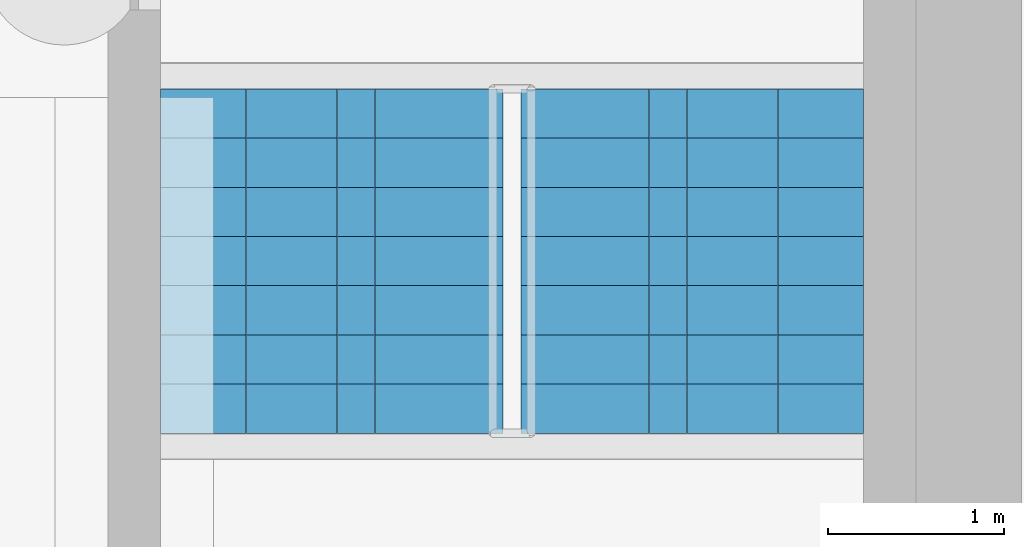
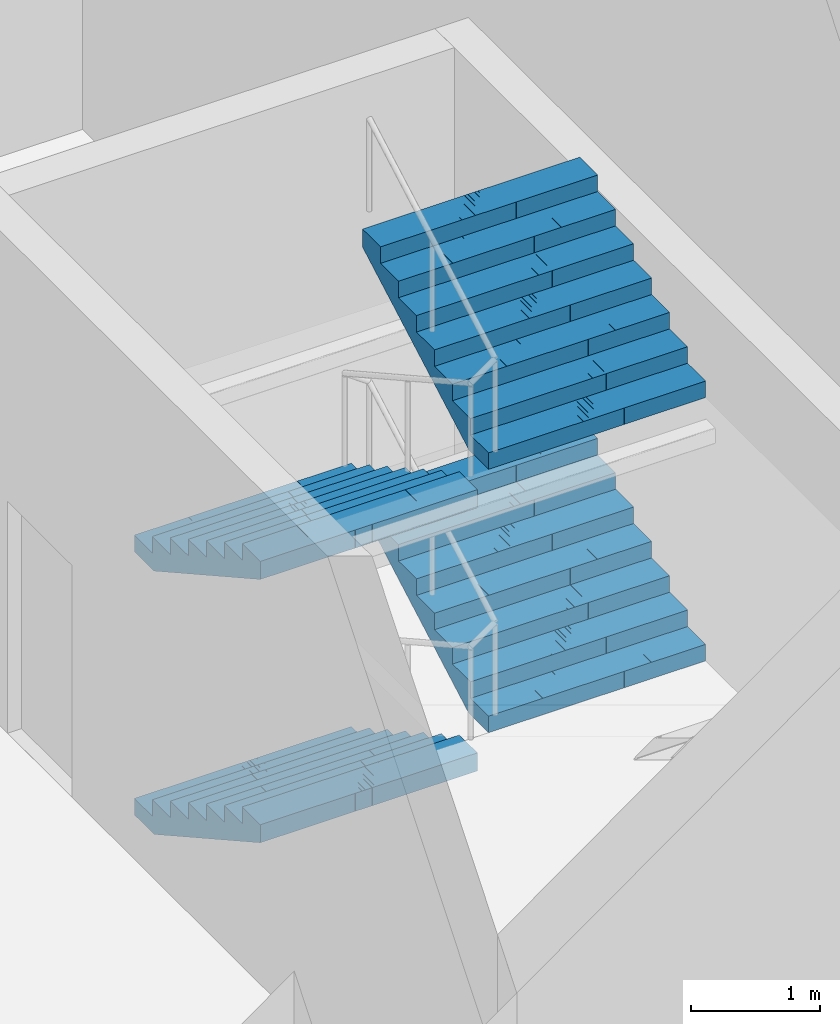
# One storey, part 21 of 31: 4 stair flights, 1 element without a shape of its own.
"""IFC4 building model written with IfcOpenShell, lengths in metres."""

import ifcopenshell
import ifcopenshell.guid

model = None  # the IFC model being written
_history = None  # IfcOwnerHistory: only IFC2X3 demands one
_inside = {}  # id of a spatial element -> (the spatial element, [elements in it])
_under = {}  # id of a project, library or spatial element -> (it, [spatial elements below it])
_declared = {}  # id of a project -> (the project, [libraries it declares])
_typed = {}  # id of a type object -> (the type object, [elements of that type])
_made_of = {}  # id of a material, layer set ... -> (it, [elements and type objects made of it])


def new_model(schema):
    """Start an empty IFC model of exactly this schema.

    Asked for "IFC4X3", IfcOpenShell would pick the latest addendum, in which some entities
    have other attributes; the version numbers below select the first issue.
    IFC2X3 requires an IfcOwnerHistory on every rooted entity: one is made here for all.
    """
    global model, _history
    if schema == "IFC4X3":
        model = ifcopenshell.file(schema_version=(4, 3, 0, 0))
    else:
        model = ifcopenshell.file(schema=schema)
    _inside.clear()
    _under.clear()
    _declared.clear()
    _typed.clear()
    _made_of.clear()
    _history = None
    if model.schema == "IFC2X3":
        org = make("IfcOrganization", Name="unknown")
        user = make(
            "IfcPersonAndOrganization",
            ThePerson=make("IfcPerson", FamilyName="unknown"),
            TheOrganization=org,
        )
        app = make(
            "IfcApplication",
            ApplicationDeveloper=org,
            Version="unknown",
            ApplicationFullName="unknown",
            ApplicationIdentifier="unknown",
        )
        _history = make(
            "IfcOwnerHistory",
            OwningUser=user,
            OwningApplication=app,
            ChangeAction="ADDED",
            CreationDate=0,
        )
    return model


def make(cls, **values):
    """One entity of the class cls with the attributes given. An attribute that is None is left unset."""
    return model.create_entity(
        cls, **{name: value for name, value in values.items() if value is not None}
    )


def rooted(cls, **values):
    """An entity with a GlobalId (a new one), such as an element, a storey or a relation."""
    return make(cls, GlobalId=ifcopenshell.guid.new(), OwnerHistory=_history, **values)


def si_unit(unit_type, name, prefix=None):
    """IfcSIUnit, for example si_unit("LENGTHUNIT", "METRE", prefix="MILLI")."""
    return make("IfcSIUnit", UnitType=unit_type, Prefix=prefix, Name=name)


def assignment(units):
    """IfcUnitAssignment: the units of a project."""
    return None if units is None else make("IfcUnitAssignment", Units=units)


def point(xyz):
    """IfcCartesianPoint."""
    return None if xyz is None else make("IfcCartesianPoint", Coordinates=xyz)


def direction(xyz):
    """IfcDirection."""
    return None if xyz is None else make("IfcDirection", DirectionRatios=xyz)


def frame(location, z_axis=None, x_axis=None):
    """IfcAxis2Placement3D, a coordinate frame: its origin and axes. An axis left out is left unset."""
    return make(
        "IfcAxis2Placement3D",
        Location=point(location),
        Axis=direction(z_axis),
        RefDirection=direction(x_axis),
    )


def origin():
    """The frame at (0, 0, 0) with its axes left unset."""
    return frame((0.0, 0.0, 0.0))


def place(relative_to, where):
    """IfcLocalPlacement: puts the frame where relative to a parent placement (None: the world)."""
    return make(
        "IfcLocalPlacement", PlacementRelTo=relative_to, RelativePlacement=where
    )


def context(
    kind, dimensions, precision=None, world=None, true_north=None, identifier=None
):
    """IfcGeometricRepresentationContext, for example the 3D "Model" context."""
    return make(
        "IfcGeometricRepresentationContext",
        ContextIdentifier=identifier,
        ContextType=kind,
        CoordinateSpaceDimension=dimensions,
        Precision=precision,
        WorldCoordinateSystem=world,
        TrueNorth=true_north,
    )


def subcontext(parent, identifier, kind, view, scale=None):
    """IfcGeometricRepresentationSubContext, for example "Body" below "Model"."""
    return make(
        "IfcGeometricRepresentationSubContext",
        ContextIdentifier=identifier,
        ContextType=kind,
        ParentContext=parent,
        TargetScale=scale,
        TargetView=view,
    )


def project(units=None, contexts=None):
    """IfcProject with its units and contexts."""
    return rooted(
        "IfcProject",
        Name="project",
        RepresentationContexts=contexts,
        UnitsInContext=assignment(units),
    )


def spatial(cls, under=None, at=None, **own):
    """A site, building, storey or space (cls), placed at a placement, below another one or the project."""
    s = rooted(cls, ObjectPlacement=at, **own)
    if under is not None:
        _under.setdefault(under.id(), (under, []))[1].append(s)
    return s


def polyline(points):
    """IfcPolyline through the points."""
    return make("IfcPolyline", Points=[point(p) for p in points])


def outline(outer, holes=None, kind="AREA"):
    """IfcArbitraryClosedProfileDef: a profile drawn as a closed curve; with holes, ...WithVoids."""
    if holes is None:
        return make("IfcArbitraryClosedProfileDef", ProfileType=kind, OuterCurve=outer)
    return make(
        "IfcArbitraryProfileDefWithVoids",
        ProfileType=kind,
        OuterCurve=outer,
        InnerCurves=holes,
    )


def extrude(swept, where, along, depth):
    """IfcExtrudedAreaSolid: the profile swept, set in the frame where, extruded along a direction by depth."""
    return make(
        "IfcExtrudedAreaSolid",
        SweptArea=swept,
        Position=where,
        ExtrudedDirection=direction(along),
        Depth=depth,
    )


def shape(context_of_items, identifier, shape_type, items):
    """IfcShapeRepresentation: the items that make up one representation, for example the "Body"."""
    return make(
        "IfcShapeRepresentation",
        ContextOfItems=context_of_items,
        RepresentationIdentifier=identifier,
        RepresentationType=shape_type,
        Items=items,
    )


def material(Name=None, Category=None):
    """IfcMaterial."""
    return make("IfcMaterial", Name=Name, Category=Category)


def made_of(thing, what):
    """Note that an element or type object is made of a material, layer set ...; save() writes the relation."""
    if what is not None:
        _made_of.setdefault(what.id(), (what, []))[1].append(thing)
    return thing


def type_object(cls, material=None, **own):
    """A type object (cls), such as IfcWallType, which elements share."""
    return made_of(rooted(cls, **own), material)


def element(
    cls,
    number,
    at=None,
    inside=None,
    cuts=None,
    type_object=None,
    material=None,
    context=None,
    identifier="Body",
    shape_type=None,
    held_by="IfcProductDefinitionShape",
    body=None,
    shapes=None,
    **own,
):
    """One element of the class cls, such as IfcWall. Its Tag is "e" and its number.

    at: its placement. inside: the storey or other place that contains it. cuts: it is an
    opening in that element (IfcRelVoidsElement). A single representation is given by context,
    identifier, shape_type and body (its items); several are given by shapes. held_by: the class
    of the entity that holds the representations. save() writes the other relations.
    """
    e = rooted(cls, Tag="e%d" % number, ObjectPlacement=at, **own)
    if body is not None:
        shapes = [shape(context, identifier, shape_type, body)]
    if shapes is not None:
        e.Representation = make(held_by, Representations=shapes)
    if inside is not None:
        _inside.setdefault(inside.id(), (inside, []))[1].append(e)
    if cuts is not None:
        rooted(
            "IfcRelVoidsElement", RelatingBuildingElement=cuts, RelatedOpeningElement=e
        )
    if type_object is not None:
        _typed.setdefault(type_object.id(), (type_object, []))[1].append(e)
    return made_of(e, material)


def aggregate(whole, parts):
    """IfcRelAggregates: a whole, such as a stair, and the parts it consists of."""
    return rooted("IfcRelAggregates", RelatingObject=whole, RelatedObjects=parts)


def save(model, path):
    """Write the relations noted so far, then the file.

    IfcRelAggregates (storeys below a building ...), IfcRelContainedInSpatialStructure (elements
    in a storey), IfcRelDefinesByType, IfcRelAssociatesMaterial and IfcRelDeclares: one each for
    every whole, place, type object, material and project.
    """
    for whole, parts in _under.values():
        aggregate(whole, parts)
    for where, things in _inside.values():
        rooted(
            "IfcRelContainedInSpatialStructure",
            RelatedElements=things,
            RelatingStructure=where,
        )
    for kind, things in _typed.values():
        rooted("IfcRelDefinesByType", RelatedObjects=things, RelatingType=kind)
    for what, things in _made_of.values():
        rooted("IfcRelAssociatesMaterial", RelatedObjects=things, RelatingMaterial=what)
    for by, libraries in _declared.values():
        rooted("IfcRelDeclares", RelatingContext=by, RelatedDefinitions=libraries)
    model.write(path)


model = new_model("IFC4")

# Units and contexts
model_context = context("Model", 3, precision=1e-05, world=origin(), true_north=direction((0.0, 1.0)))
body_context = subcontext(model_context, "Body", "Model", "MODEL_VIEW")
ifc_project = project(units=[si_unit("LENGTHUNIT", "METRE"), si_unit("AREAUNIT", "SQUARE_METRE"), si_unit("VOLUMEUNIT", "CUBIC_METRE"), si_unit("PLANEANGLEUNIT", "RADIAN"), si_unit("MASSUNIT", "GRAM", prefix="KILO")], contexts=[model_context])

# Site, building, storey
site_placement = place(None, origin())
site = spatial("IfcSite", under=ifc_project, at=site_placement, CompositionType="ELEMENT")
building_placement = place(site_placement, origin())
building = spatial("IfcBuilding", under=site, at=building_placement, Name="Mizan Broadcast Tower", CompositionType="ELEMENT")
storey_placement = place(building_placement, frame((0.0, 0.0, -10.0)))
storey = spatial("IfcBuildingStorey", under=building, at=storey_placement, Name="B2", CompositionType="ELEMENT", Elevation=-10.0)

# Stair, stair flights
ifc_material_1 = material(Name="Concrete C40/50", Category="concrete")
stair_type = type_object("IfcStairType", Name="EXIT STAIR", PredefinedType="HALF_TURN_STAIR", material=ifc_material_1)
stair_placement = place(storey_placement, origin())
stair = element("IfcStair", 1, at=stair_placement, inside=storey, type_object=stair_type, Name="Stair E B2", PredefinedType="HALF_TURN_STAIR")
ifc_material_2 = material(Name="Concrete C40/50", Category="concrete")
stair_flight_type = type_object("IfcStairFlightType", Name="EXIT STAIR FLIGHT", PredefinedType="STRAIGHT", material=ifc_material_2)
stair_flight_1_placement = place(storey_placement, frame((44.875, 39.949951171875, 0.0), z_axis=(0.0, 0.0, 1.0), x_axis=(0.0, -1.0, 0.0)))
stair_flight_1 = element("IfcStairFlight", 2, at=stair_flight_1_placement, type_object=stair_flight_type, Name="E flight 1", NumberOfRisers=8, NumberOfTreads=7, PredefinedType="STRAIGHT", RiserHeight=0.15625, TreadLength=0.28, context=body_context, shape_type="SweptSolid", body=[
    extrude(outline(polyline([(0.0, 0.0), (0.0, 0.15625), (0.280029296875, 0.15625), (0.280029296875, 0.3125), (0.56005859375, 0.3125), (0.56005859375, 0.46875), (0.840087890625, 0.46875), (0.840087890625, 0.625), (1.1201171875, 0.625), (1.1201171875, 0.78125), (1.39990234375, 0.78125), (1.39990234375, 0.9375), (1.679931640625, 0.9375), (1.679931640625, 1.09375), (1.9599609375, 1.09375), (1.9599609375, 1.25), (1.9599609375, 0.922119140625), (0.3076171875, 0.0), (0.0, 0.0)])), frame((0.0, 0.97509765625, 0.0), z_axis=(0.0, -1.0, 0.0), x_axis=(1.0, 0.0, 0.0)), (0.0, 0.0, 1.0), 0.4873046875),
    extrude(outline(polyline([(0.0, 0.0), (0.0, 0.15625), (0.280029296875, 0.15625), (0.280029296875, 0.3125), (0.56005859375, 0.3125), (0.56005859375, 0.46875), (0.840087890625, 0.46875), (0.840087890625, 0.625), (1.1201171875, 0.625), (1.1201171875, 0.78125), (1.39990234375, 0.78125), (1.39990234375, 0.9375), (1.679931640625, 0.9375), (1.679931640625, 1.09375), (1.9599609375, 1.09375), (1.9599609375, 1.25), (1.9599609375, 0.922119140625), (0.3076171875, 0.0), (0.0, 0.0)])), frame((0.0, 0.4873046875, 0.0), z_axis=(0.0, -1.0, 0.0), x_axis=(1.0, 0.0, 0.0)), (0.0, 0.0, 1.0), 0.2431640625),
    extrude(outline(polyline([(0.0, 0.0), (0.0, 0.15625), (0.280029296875, 0.15625), (0.280029296875, 0.3125), (0.56005859375, 0.3125), (0.56005859375, 0.46875), (0.840087890625, 0.46875), (0.840087890625, 0.625), (1.1201171875, 0.625), (1.1201171875, 0.78125), (1.39990234375, 0.78125), (1.39990234375, 0.9375), (1.679931640625, 0.9375), (1.679931640625, 1.09375), (1.9599609375, 1.09375), (1.9599609375, 1.25), (1.9599609375, 0.922119140625), (0.3076171875, 0.0), (0.0, 0.0)])), frame((0.0, 0.24365234375, 0.0), z_axis=(0.0, -1.0, 0.0), x_axis=(1.0, 0.0, 0.0)), (0.0, 0.0, 1.0), 0.121337890625),
    extrude(outline(polyline([(0.0, 0.0), (0.0, 0.15625), (0.280029296875, 0.15625), (0.280029296875, 0.3125), (0.56005859375, 0.3125), (0.56005859375, 0.46875), (0.840087890625, 0.46875), (0.840087890625, 0.625), (1.1201171875, 0.625), (1.1201171875, 0.78125), (1.39990234375, 0.78125), (1.39990234375, 0.9375), (1.679931640625, 0.9375), (1.679931640625, 1.09375), (1.9599609375, 1.09375), (1.9599609375, 1.25), (1.9599609375, 0.922119140625), (0.3076171875, 0.0), (0.0, 0.0)])), frame((0.0, 0.121826171875, 0.0), z_axis=(0.0, -1.0, 0.0), x_axis=(1.0, 0.0, 0.0)), (0.0, 0.0, 1.0), 0.060546875),
    extrude(outline(polyline([(0.0, 0.0), (0.0, 0.15625), (0.280029296875, 0.15625), (0.280029296875, 0.3125), (0.56005859375, 0.3125), (0.56005859375, 0.46875), (0.840087890625, 0.46875), (0.840087890625, 0.625), (1.1201171875, 0.625), (1.1201171875, 0.78125), (1.39990234375, 0.78125), (1.39990234375, 0.9375), (1.679931640625, 0.9375), (1.679931640625, 1.09375), (1.9599609375, 1.09375), (1.9599609375, 1.25), (1.9599609375, 0.922119140625), (0.3076171875, 0.0), (0.0, 0.0)])), frame((0.0, 0.060791015625, 0.0), z_axis=(0.0, -1.0, 0.0), x_axis=(1.0, 0.0, 0.0)), (0.0, 0.0, 1.0), 0.030029296875),
    extrude(outline(polyline([(0.0, 0.0), (0.0, 0.15625), (0.280029296875, 0.15625), (0.280029296875, 0.3125), (0.56005859375, 0.3125), (0.56005859375, 0.46875), (0.840087890625, 0.46875), (0.840087890625, 0.625), (1.1201171875, 0.625), (1.1201171875, 0.78125), (1.39990234375, 0.78125), (1.39990234375, 0.9375), (1.679931640625, 0.9375), (1.679931640625, 1.09375), (1.9599609375, 1.09375), (1.9599609375, 1.25), (1.9599609375, 0.922119140625), (0.3076171875, 0.0), (0.0, 0.0)])), frame((0.0, 0.0302734375, 0.0), z_axis=(0.0, -1.0, 0.0), x_axis=(1.0, 0.0, 0.0)), (0.0, 0.0, 1.0), 0.060302734375),
    extrude(outline(polyline([(0.0, 0.0), (0.0, 0.15625), (0.280029296875, 0.15625), (0.280029296875, 0.3125), (0.56005859375, 0.3125), (0.56005859375, 0.46875), (0.840087890625, 0.46875), (0.840087890625, 0.625), (1.1201171875, 0.625), (1.1201171875, 0.78125), (1.39990234375, 0.78125), (1.39990234375, 0.9375), (1.679931640625, 0.9375), (1.679931640625, 1.09375), (1.9599609375, 1.09375), (1.9599609375, 1.25), (1.9599609375, 0.922119140625), (0.3076171875, 0.0), (0.0, 0.0)])), frame((0.0, -0.030517578125, 0.0), z_axis=(0.0, -1.0, 0.0), x_axis=(1.0, 0.0, 0.0)), (0.0, 0.0, 1.0), 0.030029296875),
    extrude(outline(polyline([(0.0, 0.0), (0.0, 0.15625), (0.280029296875, 0.15625), (0.280029296875, 0.3125), (0.56005859375, 0.3125), (0.56005859375, 0.46875), (0.840087890625, 0.46875), (0.840087890625, 0.625), (1.1201171875, 0.625), (1.1201171875, 0.78125), (1.39990234375, 0.78125), (1.39990234375, 0.9375), (1.679931640625, 0.9375), (1.679931640625, 1.09375), (1.9599609375, 1.09375), (1.9599609375, 1.25), (1.9599609375, 0.922119140625), (0.3076171875, 0.0), (0.0, 0.0)])), frame((0.0, -0.06103515625, 0.0), z_axis=(0.0, -1.0, 0.0), x_axis=(1.0, 0.0, 0.0)), (0.0, 0.0, 1.0), 0.060546875),
    extrude(outline(polyline([(0.0, 0.0), (0.0, 0.15625), (0.280029296875, 0.15625), (0.280029296875, 0.3125), (0.56005859375, 0.3125), (0.56005859375, 0.46875), (0.840087890625, 0.46875), (0.840087890625, 0.625), (1.1201171875, 0.625), (1.1201171875, 0.78125), (1.39990234375, 0.78125), (1.39990234375, 0.9375), (1.679931640625, 0.9375), (1.679931640625, 1.09375), (1.9599609375, 1.09375), (1.9599609375, 1.25), (1.9599609375, 0.922119140625), (0.3076171875, 0.0), (0.0, 0.0)])), frame((0.0, -0.1220703125, 0.0), z_axis=(0.0, -1.0, 0.0), x_axis=(1.0, 0.0, 0.0)), (0.0, 0.0, 1.0), 0.121337890625),
    extrude(outline(polyline([(0.0, 0.0), (0.0, 0.15625), (0.280029296875, 0.15625), (0.280029296875, 0.3125), (0.56005859375, 0.3125), (0.56005859375, 0.46875), (0.840087890625, 0.46875), (0.840087890625, 0.625), (1.1201171875, 0.625), (1.1201171875, 0.78125), (1.39990234375, 0.78125), (1.39990234375, 0.9375), (1.679931640625, 0.9375), (1.679931640625, 1.09375), (1.9599609375, 1.09375), (1.9599609375, 1.25), (1.9599609375, 0.922119140625), (0.3076171875, 0.0), (0.0, 0.0)])), frame((0.0, -0.243896484375, 0.0), z_axis=(0.0, -1.0, 0.0), x_axis=(1.0, 0.0, 0.0)), (0.0, 0.0, 1.0), 0.2431640625),
    extrude(outline(polyline([(0.0, 0.0), (0.0, 0.15625), (0.280029296875, 0.15625), (0.280029296875, 0.3125), (0.56005859375, 0.3125), (0.56005859375, 0.46875), (0.840087890625, 0.46875), (0.840087890625, 0.625), (1.1201171875, 0.625), (1.1201171875, 0.78125), (1.39990234375, 0.78125), (1.39990234375, 0.9375), (1.679931640625, 0.9375), (1.679931640625, 1.09375), (1.9599609375, 1.09375), (1.9599609375, 1.25), (1.9599609375, 0.922119140625), (0.3076171875, 0.0), (0.0, 0.0)])), frame((0.0, -0.487548828125, 0.0), z_axis=(0.0, -1.0, 0.0), x_axis=(1.0, 0.0, 0.0)), (0.0, 0.0, 1.0), 0.4873046875),
])
stair_flight_2_placement = place(storey_placement, frame((46.925048828125, 37.989990234375, 1.25), z_axis=(0.0, 0.0, 1.0), x_axis=(0.0, 1.0, 0.0)))
stair_flight_2 = element("IfcStairFlight", 3, at=stair_flight_2_placement, type_object=stair_flight_type, Name="E flight 2", NumberOfRisers=8, NumberOfTreads=7, PredefinedType="STRAIGHT", RiserHeight=0.15625, TreadLength=0.28, context=body_context, shape_type="SweptSolid", body=[
    extrude(outline(polyline([(0.0, 0.0), (0.0, 0.15625), (0.280029296875, 0.15625), (0.280029296875, 0.3125), (0.56005859375, 0.3125), (0.56005859375, 0.46875), (0.840087890625, 0.46875), (0.840087890625, 0.625), (1.1201171875, 0.625), (1.1201171875, 0.78125), (1.39990234375, 0.78125), (1.39990234375, 0.9375), (1.679931640625, 0.9375), (1.679931640625, 1.09375), (1.9599609375, 1.09375), (1.9599609375, 1.25), (1.9599609375, 0.922119140625), (0.3076171875, 0.0), (0.0, 0.0)])), frame((0.0, 0.97509765625, 0.0), z_axis=(0.0, -1.0, 0.0), x_axis=(1.0, 0.0, 0.0)), (0.0, 0.0, 1.0), 0.4873046875),
    extrude(outline(polyline([(0.0, 0.0), (0.0, 0.15625), (0.280029296875, 0.15625), (0.280029296875, 0.3125), (0.56005859375, 0.3125), (0.56005859375, 0.46875), (0.840087890625, 0.46875), (0.840087890625, 0.625), (1.1201171875, 0.625), (1.1201171875, 0.78125), (1.39990234375, 0.78125), (1.39990234375, 0.9375), (1.679931640625, 0.9375), (1.679931640625, 1.09375), (1.9599609375, 1.09375), (1.9599609375, 1.25), (1.9599609375, 0.922119140625), (0.3076171875, 0.0), (0.0, 0.0)])), frame((0.0, 0.4873046875, 0.0), z_axis=(0.0, -1.0, 0.0), x_axis=(1.0, 0.0, 0.0)), (0.0, 0.0, 1.0), 0.2431640625),
    extrude(outline(polyline([(0.0, 0.0), (0.0, 0.15625), (0.280029296875, 0.15625), (0.280029296875, 0.3125), (0.56005859375, 0.3125), (0.56005859375, 0.46875), (0.840087890625, 0.46875), (0.840087890625, 0.625), (1.1201171875, 0.625), (1.1201171875, 0.78125), (1.39990234375, 0.78125), (1.39990234375, 0.9375), (1.679931640625, 0.9375), (1.679931640625, 1.09375), (1.9599609375, 1.09375), (1.9599609375, 1.25), (1.9599609375, 0.922119140625), (0.3076171875, 0.0), (0.0, 0.0)])), frame((0.0, 0.24365234375, 0.0), z_axis=(0.0, -1.0, 0.0), x_axis=(1.0, 0.0, 0.0)), (0.0, 0.0, 1.0), 0.121337890625),
    extrude(outline(polyline([(0.0, 0.0), (0.0, 0.15625), (0.280029296875, 0.15625), (0.280029296875, 0.3125), (0.56005859375, 0.3125), (0.56005859375, 0.46875), (0.840087890625, 0.46875), (0.840087890625, 0.625), (1.1201171875, 0.625), (1.1201171875, 0.78125), (1.39990234375, 0.78125), (1.39990234375, 0.9375), (1.679931640625, 0.9375), (1.679931640625, 1.09375), (1.9599609375, 1.09375), (1.9599609375, 1.25), (1.9599609375, 0.922119140625), (0.3076171875, 0.0), (0.0, 0.0)])), frame((0.0, 0.121826171875, 0.0), z_axis=(0.0, -1.0, 0.0), x_axis=(1.0, 0.0, 0.0)), (0.0, 0.0, 1.0), 0.060546875),
    extrude(outline(polyline([(0.0, 0.0), (0.0, 0.15625), (0.280029296875, 0.15625), (0.280029296875, 0.3125), (0.56005859375, 0.3125), (0.56005859375, 0.46875), (0.840087890625, 0.46875), (0.840087890625, 0.625), (1.1201171875, 0.625), (1.1201171875, 0.78125), (1.39990234375, 0.78125), (1.39990234375, 0.9375), (1.679931640625, 0.9375), (1.679931640625, 1.09375), (1.9599609375, 1.09375), (1.9599609375, 1.25), (1.9599609375, 0.922119140625), (0.3076171875, 0.0), (0.0, 0.0)])), frame((0.0, 0.060791015625, 0.0), z_axis=(0.0, -1.0, 0.0), x_axis=(1.0, 0.0, 0.0)), (0.0, 0.0, 1.0), 0.030029296875),
    extrude(outline(polyline([(0.0, 0.0), (0.0, 0.15625), (0.280029296875, 0.15625), (0.280029296875, 0.3125), (0.56005859375, 0.3125), (0.56005859375, 0.46875), (0.840087890625, 0.46875), (0.840087890625, 0.625), (1.1201171875, 0.625), (1.1201171875, 0.78125), (1.39990234375, 0.78125), (1.39990234375, 0.9375), (1.679931640625, 0.9375), (1.679931640625, 1.09375), (1.9599609375, 1.09375), (1.9599609375, 1.25), (1.9599609375, 0.922119140625), (0.3076171875, 0.0), (0.0, 0.0)])), frame((0.0, 0.0302734375, 0.0), z_axis=(0.0, -1.0, 0.0), x_axis=(1.0, 0.0, 0.0)), (0.0, 0.0, 1.0), 0.060302734375),
    extrude(outline(polyline([(0.0, 0.0), (0.0, 0.15625), (0.280029296875, 0.15625), (0.280029296875, 0.3125), (0.56005859375, 0.3125), (0.56005859375, 0.46875), (0.840087890625, 0.46875), (0.840087890625, 0.625), (1.1201171875, 0.625), (1.1201171875, 0.78125), (1.39990234375, 0.78125), (1.39990234375, 0.9375), (1.679931640625, 0.9375), (1.679931640625, 1.09375), (1.9599609375, 1.09375), (1.9599609375, 1.25), (1.9599609375, 0.922119140625), (0.3076171875, 0.0), (0.0, 0.0)])), frame((0.0, -0.030517578125, 0.0), z_axis=(0.0, -1.0, 0.0), x_axis=(1.0, 0.0, 0.0)), (0.0, 0.0, 1.0), 0.030029296875),
    extrude(outline(polyline([(0.0, 0.0), (0.0, 0.15625), (0.280029296875, 0.15625), (0.280029296875, 0.3125), (0.56005859375, 0.3125), (0.56005859375, 0.46875), (0.840087890625, 0.46875), (0.840087890625, 0.625), (1.1201171875, 0.625), (1.1201171875, 0.78125), (1.39990234375, 0.78125), (1.39990234375, 0.9375), (1.679931640625, 0.9375), (1.679931640625, 1.09375), (1.9599609375, 1.09375), (1.9599609375, 1.25), (1.9599609375, 0.922119140625), (0.3076171875, 0.0), (0.0, 0.0)])), frame((0.0, -0.06103515625, 0.0), z_axis=(0.0, -1.0, 0.0), x_axis=(1.0, 0.0, 0.0)), (0.0, 0.0, 1.0), 0.060546875),
    extrude(outline(polyline([(0.0, 0.0), (0.0, 0.15625), (0.280029296875, 0.15625), (0.280029296875, 0.3125), (0.56005859375, 0.3125), (0.56005859375, 0.46875), (0.840087890625, 0.46875), (0.840087890625, 0.625), (1.1201171875, 0.625), (1.1201171875, 0.78125), (1.39990234375, 0.78125), (1.39990234375, 0.9375), (1.679931640625, 0.9375), (1.679931640625, 1.09375), (1.9599609375, 1.09375), (1.9599609375, 1.25), (1.9599609375, 0.922119140625), (0.3076171875, 0.0), (0.0, 0.0)])), frame((0.0, -0.1220703125, 0.0), z_axis=(0.0, -1.0, 0.0), x_axis=(1.0, 0.0, 0.0)), (0.0, 0.0, 1.0), 0.121337890625),
    extrude(outline(polyline([(0.0, 0.0), (0.0, 0.15625), (0.280029296875, 0.15625), (0.280029296875, 0.3125), (0.56005859375, 0.3125), (0.56005859375, 0.46875), (0.840087890625, 0.46875), (0.840087890625, 0.625), (1.1201171875, 0.625), (1.1201171875, 0.78125), (1.39990234375, 0.78125), (1.39990234375, 0.9375), (1.679931640625, 0.9375), (1.679931640625, 1.09375), (1.9599609375, 1.09375), (1.9599609375, 1.25), (1.9599609375, 0.922119140625), (0.3076171875, 0.0), (0.0, 0.0)])), frame((0.0, -0.243896484375, 0.0), z_axis=(0.0, -1.0, 0.0), x_axis=(1.0, 0.0, 0.0)), (0.0, 0.0, 1.0), 0.2431640625),
    extrude(outline(polyline([(0.0, 0.0), (0.0, 0.15625), (0.280029296875, 0.15625), (0.280029296875, 0.3125), (0.56005859375, 0.3125), (0.56005859375, 0.46875), (0.840087890625, 0.46875), (0.840087890625, 0.625), (1.1201171875, 0.625), (1.1201171875, 0.78125), (1.39990234375, 0.78125), (1.39990234375, 0.9375), (1.679931640625, 0.9375), (1.679931640625, 1.09375), (1.9599609375, 1.09375), (1.9599609375, 1.25), (1.9599609375, 0.922119140625), (0.3076171875, 0.0), (0.0, 0.0)])), frame((0.0, -0.487548828125, 0.0), z_axis=(0.0, -1.0, 0.0), x_axis=(1.0, 0.0, 0.0)), (0.0, 0.0, 1.0), 0.4873046875),
])
stair_flight_3_placement = place(storey_placement, frame((44.875, 39.949951171875, 2.5), z_axis=(0.0, 0.0, 1.0), x_axis=(0.0, -1.0, 0.0)))
stair_flight_3 = element("IfcStairFlight", 4, at=stair_flight_3_placement, type_object=stair_flight_type, Name="E flight 3", NumberOfRisers=8, NumberOfTreads=7, PredefinedType="STRAIGHT", RiserHeight=0.15625, TreadLength=0.28, context=body_context, shape_type="SweptSolid", body=[
    extrude(outline(polyline([(0.0, 0.0), (0.0, 0.15625), (0.280029296875, 0.15625), (0.280029296875, 0.3125), (0.56005859375, 0.3125), (0.56005859375, 0.46875), (0.840087890625, 0.46875), (0.840087890625, 0.625), (1.1201171875, 0.625), (1.1201171875, 0.78125), (1.39990234375, 0.78125), (1.39990234375, 0.9375), (1.679931640625, 0.9375), (1.679931640625, 1.09375), (1.9599609375, 1.09375), (1.9599609375, 1.25), (1.9599609375, 0.922119140625), (0.3076171875, 0.0), (0.0, 0.0)])), frame((0.0, 0.97509765625, 0.0), z_axis=(0.0, -1.0, 0.0), x_axis=(1.0, 0.0, 0.0)), (0.0, 0.0, 1.0), 0.4873046875),
    extrude(outline(polyline([(0.0, 0.0), (0.0, 0.15625), (0.280029296875, 0.15625), (0.280029296875, 0.3125), (0.56005859375, 0.3125), (0.56005859375, 0.46875), (0.840087890625, 0.46875), (0.840087890625, 0.625), (1.1201171875, 0.625), (1.1201171875, 0.78125), (1.39990234375, 0.78125), (1.39990234375, 0.9375), (1.679931640625, 0.9375), (1.679931640625, 1.09375), (1.9599609375, 1.09375), (1.9599609375, 1.25), (1.9599609375, 0.922119140625), (0.3076171875, 0.0), (0.0, 0.0)])), frame((0.0, 0.4873046875, 0.0), z_axis=(0.0, -1.0, 0.0), x_axis=(1.0, 0.0, 0.0)), (0.0, 0.0, 1.0), 0.2431640625),
    extrude(outline(polyline([(0.0, 0.0), (0.0, 0.15625), (0.280029296875, 0.15625), (0.280029296875, 0.3125), (0.56005859375, 0.3125), (0.56005859375, 0.46875), (0.840087890625, 0.46875), (0.840087890625, 0.625), (1.1201171875, 0.625), (1.1201171875, 0.78125), (1.39990234375, 0.78125), (1.39990234375, 0.9375), (1.679931640625, 0.9375), (1.679931640625, 1.09375), (1.9599609375, 1.09375), (1.9599609375, 1.25), (1.9599609375, 0.922119140625), (0.3076171875, 0.0), (0.0, 0.0)])), frame((0.0, 0.24365234375, 0.0), z_axis=(0.0, -1.0, 0.0), x_axis=(1.0, 0.0, 0.0)), (0.0, 0.0, 1.0), 0.121337890625),
    extrude(outline(polyline([(0.0, 0.0), (0.0, 0.15625), (0.280029296875, 0.15625), (0.280029296875, 0.3125), (0.56005859375, 0.3125), (0.56005859375, 0.46875), (0.840087890625, 0.46875), (0.840087890625, 0.625), (1.1201171875, 0.625), (1.1201171875, 0.78125), (1.39990234375, 0.78125), (1.39990234375, 0.9375), (1.679931640625, 0.9375), (1.679931640625, 1.09375), (1.9599609375, 1.09375), (1.9599609375, 1.25), (1.9599609375, 0.922119140625), (0.3076171875, 0.0), (0.0, 0.0)])), frame((0.0, 0.121826171875, 0.0), z_axis=(0.0, -1.0, 0.0), x_axis=(1.0, 0.0, 0.0)), (0.0, 0.0, 1.0), 0.060546875),
    extrude(outline(polyline([(0.0, 0.0), (0.0, 0.15625), (0.280029296875, 0.15625), (0.280029296875, 0.3125), (0.56005859375, 0.3125), (0.56005859375, 0.46875), (0.840087890625, 0.46875), (0.840087890625, 0.625), (1.1201171875, 0.625), (1.1201171875, 0.78125), (1.39990234375, 0.78125), (1.39990234375, 0.9375), (1.679931640625, 0.9375), (1.679931640625, 1.09375), (1.9599609375, 1.09375), (1.9599609375, 1.25), (1.9599609375, 0.922119140625), (0.3076171875, 0.0), (0.0, 0.0)])), frame((0.0, 0.060791015625, 0.0), z_axis=(0.0, -1.0, 0.0), x_axis=(1.0, 0.0, 0.0)), (0.0, 0.0, 1.0), 0.030029296875),
    extrude(outline(polyline([(0.0, 0.0), (0.0, 0.15625), (0.280029296875, 0.15625), (0.280029296875, 0.3125), (0.56005859375, 0.3125), (0.56005859375, 0.46875), (0.840087890625, 0.46875), (0.840087890625, 0.625), (1.1201171875, 0.625), (1.1201171875, 0.78125), (1.39990234375, 0.78125), (1.39990234375, 0.9375), (1.679931640625, 0.9375), (1.679931640625, 1.09375), (1.9599609375, 1.09375), (1.9599609375, 1.25), (1.9599609375, 0.922119140625), (0.3076171875, 0.0), (0.0, 0.0)])), frame((0.0, 0.0302734375, 0.0), z_axis=(0.0, -1.0, 0.0), x_axis=(1.0, 0.0, 0.0)), (0.0, 0.0, 1.0), 0.060302734375),
    extrude(outline(polyline([(0.0, 0.0), (0.0, 0.15625), (0.280029296875, 0.15625), (0.280029296875, 0.3125), (0.56005859375, 0.3125), (0.56005859375, 0.46875), (0.840087890625, 0.46875), (0.840087890625, 0.625), (1.1201171875, 0.625), (1.1201171875, 0.78125), (1.39990234375, 0.78125), (1.39990234375, 0.9375), (1.679931640625, 0.9375), (1.679931640625, 1.09375), (1.9599609375, 1.09375), (1.9599609375, 1.25), (1.9599609375, 0.922119140625), (0.3076171875, 0.0), (0.0, 0.0)])), frame((0.0, -0.030517578125, 0.0), z_axis=(0.0, -1.0, 0.0), x_axis=(1.0, 0.0, 0.0)), (0.0, 0.0, 1.0), 0.030029296875),
    extrude(outline(polyline([(0.0, 0.0), (0.0, 0.15625), (0.280029296875, 0.15625), (0.280029296875, 0.3125), (0.56005859375, 0.3125), (0.56005859375, 0.46875), (0.840087890625, 0.46875), (0.840087890625, 0.625), (1.1201171875, 0.625), (1.1201171875, 0.78125), (1.39990234375, 0.78125), (1.39990234375, 0.9375), (1.679931640625, 0.9375), (1.679931640625, 1.09375), (1.9599609375, 1.09375), (1.9599609375, 1.25), (1.9599609375, 0.922119140625), (0.3076171875, 0.0), (0.0, 0.0)])), frame((0.0, -0.06103515625, 0.0), z_axis=(0.0, -1.0, 0.0), x_axis=(1.0, 0.0, 0.0)), (0.0, 0.0, 1.0), 0.060546875),
    extrude(outline(polyline([(0.0, 0.0), (0.0, 0.15625), (0.280029296875, 0.15625), (0.280029296875, 0.3125), (0.56005859375, 0.3125), (0.56005859375, 0.46875), (0.840087890625, 0.46875), (0.840087890625, 0.625), (1.1201171875, 0.625), (1.1201171875, 0.78125), (1.39990234375, 0.78125), (1.39990234375, 0.9375), (1.679931640625, 0.9375), (1.679931640625, 1.09375), (1.9599609375, 1.09375), (1.9599609375, 1.25), (1.9599609375, 0.922119140625), (0.3076171875, 0.0), (0.0, 0.0)])), frame((0.0, -0.1220703125, 0.0), z_axis=(0.0, -1.0, 0.0), x_axis=(1.0, 0.0, 0.0)), (0.0, 0.0, 1.0), 0.121337890625),
    extrude(outline(polyline([(0.0, 0.0), (0.0, 0.15625), (0.280029296875, 0.15625), (0.280029296875, 0.3125), (0.56005859375, 0.3125), (0.56005859375, 0.46875), (0.840087890625, 0.46875), (0.840087890625, 0.625), (1.1201171875, 0.625), (1.1201171875, 0.78125), (1.39990234375, 0.78125), (1.39990234375, 0.9375), (1.679931640625, 0.9375), (1.679931640625, 1.09375), (1.9599609375, 1.09375), (1.9599609375, 1.25), (1.9599609375, 0.922119140625), (0.3076171875, 0.0), (0.0, 0.0)])), frame((0.0, -0.243896484375, 0.0), z_axis=(0.0, -1.0, 0.0), x_axis=(1.0, 0.0, 0.0)), (0.0, 0.0, 1.0), 0.2431640625),
    extrude(outline(polyline([(0.0, 0.0), (0.0, 0.15625), (0.280029296875, 0.15625), (0.280029296875, 0.3125), (0.56005859375, 0.3125), (0.56005859375, 0.46875), (0.840087890625, 0.46875), (0.840087890625, 0.625), (1.1201171875, 0.625), (1.1201171875, 0.78125), (1.39990234375, 0.78125), (1.39990234375, 0.9375), (1.679931640625, 0.9375), (1.679931640625, 1.09375), (1.9599609375, 1.09375), (1.9599609375, 1.25), (1.9599609375, 0.922119140625), (0.3076171875, 0.0), (0.0, 0.0)])), frame((0.0, -0.487548828125, 0.0), z_axis=(0.0, -1.0, 0.0), x_axis=(1.0, 0.0, 0.0)), (0.0, 0.0, 1.0), 0.4873046875),
])
stair_flight_4_placement = place(storey_placement, frame((46.925048828125, 37.989990234375, 3.75), z_axis=(0.0, 0.0, 1.0), x_axis=(0.0, 1.0, 0.0)))
stair_flight_4 = element("IfcStairFlight", 5, at=stair_flight_4_placement, type_object=stair_flight_type, Name="E flight 4", NumberOfRisers=8, NumberOfTreads=7, PredefinedType="STRAIGHT", RiserHeight=0.15625, TreadLength=0.28, context=body_context, shape_type="SweptSolid", body=[
    extrude(outline(polyline([(0.0, 0.0), (0.0, 0.15625), (0.280029296875, 0.15625), (0.280029296875, 0.3125), (0.56005859375, 0.3125), (0.56005859375, 0.46875), (0.840087890625, 0.46875), (0.840087890625, 0.625), (1.1201171875, 0.625), (1.1201171875, 0.78125), (1.39990234375, 0.78125), (1.39990234375, 0.9375), (1.679931640625, 0.9375), (1.679931640625, 1.09375), (1.9599609375, 1.09375), (1.9599609375, 1.25), (1.9599609375, 0.922119140625), (0.3076171875, 0.0), (0.0, 0.0)])), frame((0.0, 0.97509765625, 0.0), z_axis=(0.0, -1.0, 0.0), x_axis=(1.0, 0.0, 0.0)), (0.0, 0.0, 1.0), 0.4873046875),
    extrude(outline(polyline([(0.0, 0.0), (0.0, 0.15625), (0.280029296875, 0.15625), (0.280029296875, 0.3125), (0.56005859375, 0.3125), (0.56005859375, 0.46875), (0.840087890625, 0.46875), (0.840087890625, 0.625), (1.1201171875, 0.625), (1.1201171875, 0.78125), (1.39990234375, 0.78125), (1.39990234375, 0.9375), (1.679931640625, 0.9375), (1.679931640625, 1.09375), (1.9599609375, 1.09375), (1.9599609375, 1.25), (1.9599609375, 0.922119140625), (0.3076171875, 0.0), (0.0, 0.0)])), frame((0.0, 0.4873046875, 0.0), z_axis=(0.0, -1.0, 0.0), x_axis=(1.0, 0.0, 0.0)), (0.0, 0.0, 1.0), 0.2431640625),
    extrude(outline(polyline([(0.0, 0.0), (0.0, 0.15625), (0.280029296875, 0.15625), (0.280029296875, 0.3125), (0.56005859375, 0.3125), (0.56005859375, 0.46875), (0.840087890625, 0.46875), (0.840087890625, 0.625), (1.1201171875, 0.625), (1.1201171875, 0.78125), (1.39990234375, 0.78125), (1.39990234375, 0.9375), (1.679931640625, 0.9375), (1.679931640625, 1.09375), (1.9599609375, 1.09375), (1.9599609375, 1.25), (1.9599609375, 0.922119140625), (0.3076171875, 0.0), (0.0, 0.0)])), frame((0.0, 0.24365234375, 0.0), z_axis=(0.0, -1.0, 0.0), x_axis=(1.0, 0.0, 0.0)), (0.0, 0.0, 1.0), 0.121337890625),
    extrude(outline(polyline([(0.0, 0.0), (0.0, 0.15625), (0.280029296875, 0.15625), (0.280029296875, 0.3125), (0.56005859375, 0.3125), (0.56005859375, 0.46875), (0.840087890625, 0.46875), (0.840087890625, 0.625), (1.1201171875, 0.625), (1.1201171875, 0.78125), (1.39990234375, 0.78125), (1.39990234375, 0.9375), (1.679931640625, 0.9375), (1.679931640625, 1.09375), (1.9599609375, 1.09375), (1.9599609375, 1.25), (1.9599609375, 0.922119140625), (0.3076171875, 0.0), (0.0, 0.0)])), frame((0.0, 0.121826171875, 0.0), z_axis=(0.0, -1.0, 0.0), x_axis=(1.0, 0.0, 0.0)), (0.0, 0.0, 1.0), 0.060546875),
    extrude(outline(polyline([(0.0, 0.0), (0.0, 0.15625), (0.280029296875, 0.15625), (0.280029296875, 0.3125), (0.56005859375, 0.3125), (0.56005859375, 0.46875), (0.840087890625, 0.46875), (0.840087890625, 0.625), (1.1201171875, 0.625), (1.1201171875, 0.78125), (1.39990234375, 0.78125), (1.39990234375, 0.9375), (1.679931640625, 0.9375), (1.679931640625, 1.09375), (1.9599609375, 1.09375), (1.9599609375, 1.25), (1.9599609375, 0.922119140625), (0.3076171875, 0.0), (0.0, 0.0)])), frame((0.0, 0.060791015625, 0.0), z_axis=(0.0, -1.0, 0.0), x_axis=(1.0, 0.0, 0.0)), (0.0, 0.0, 1.0), 0.030029296875),
    extrude(outline(polyline([(0.0, 0.0), (0.0, 0.15625), (0.280029296875, 0.15625), (0.280029296875, 0.3125), (0.56005859375, 0.3125), (0.56005859375, 0.46875), (0.840087890625, 0.46875), (0.840087890625, 0.625), (1.1201171875, 0.625), (1.1201171875, 0.78125), (1.39990234375, 0.78125), (1.39990234375, 0.9375), (1.679931640625, 0.9375), (1.679931640625, 1.09375), (1.9599609375, 1.09375), (1.9599609375, 1.25), (1.9599609375, 0.922119140625), (0.3076171875, 0.0), (0.0, 0.0)])), frame((0.0, 0.0302734375, 0.0), z_axis=(0.0, -1.0, 0.0), x_axis=(1.0, 0.0, 0.0)), (0.0, 0.0, 1.0), 0.060302734375),
    extrude(outline(polyline([(0.0, 0.0), (0.0, 0.15625), (0.280029296875, 0.15625), (0.280029296875, 0.3125), (0.56005859375, 0.3125), (0.56005859375, 0.46875), (0.840087890625, 0.46875), (0.840087890625, 0.625), (1.1201171875, 0.625), (1.1201171875, 0.78125), (1.39990234375, 0.78125), (1.39990234375, 0.9375), (1.679931640625, 0.9375), (1.679931640625, 1.09375), (1.9599609375, 1.09375), (1.9599609375, 1.25), (1.9599609375, 0.922119140625), (0.3076171875, 0.0), (0.0, 0.0)])), frame((0.0, -0.030517578125, 0.0), z_axis=(0.0, -1.0, 0.0), x_axis=(1.0, 0.0, 0.0)), (0.0, 0.0, 1.0), 0.030029296875),
    extrude(outline(polyline([(0.0, 0.0), (0.0, 0.15625), (0.280029296875, 0.15625), (0.280029296875, 0.3125), (0.56005859375, 0.3125), (0.56005859375, 0.46875), (0.840087890625, 0.46875), (0.840087890625, 0.625), (1.1201171875, 0.625), (1.1201171875, 0.78125), (1.39990234375, 0.78125), (1.39990234375, 0.9375), (1.679931640625, 0.9375), (1.679931640625, 1.09375), (1.9599609375, 1.09375), (1.9599609375, 1.25), (1.9599609375, 0.922119140625), (0.3076171875, 0.0), (0.0, 0.0)])), frame((0.0, -0.06103515625, 0.0), z_axis=(0.0, -1.0, 0.0), x_axis=(1.0, 0.0, 0.0)), (0.0, 0.0, 1.0), 0.060546875),
    extrude(outline(polyline([(0.0, 0.0), (0.0, 0.15625), (0.280029296875, 0.15625), (0.280029296875, 0.3125), (0.56005859375, 0.3125), (0.56005859375, 0.46875), (0.840087890625, 0.46875), (0.840087890625, 0.625), (1.1201171875, 0.625), (1.1201171875, 0.78125), (1.39990234375, 0.78125), (1.39990234375, 0.9375), (1.679931640625, 0.9375), (1.679931640625, 1.09375), (1.9599609375, 1.09375), (1.9599609375, 1.25), (1.9599609375, 0.922119140625), (0.3076171875, 0.0), (0.0, 0.0)])), frame((0.0, -0.1220703125, 0.0), z_axis=(0.0, -1.0, 0.0), x_axis=(1.0, 0.0, 0.0)), (0.0, 0.0, 1.0), 0.121337890625),
    extrude(outline(polyline([(0.0, 0.0), (0.0, 0.15625), (0.280029296875, 0.15625), (0.280029296875, 0.3125), (0.56005859375, 0.3125), (0.56005859375, 0.46875), (0.840087890625, 0.46875), (0.840087890625, 0.625), (1.1201171875, 0.625), (1.1201171875, 0.78125), (1.39990234375, 0.78125), (1.39990234375, 0.9375), (1.679931640625, 0.9375), (1.679931640625, 1.09375), (1.9599609375, 1.09375), (1.9599609375, 1.25), (1.9599609375, 0.922119140625), (0.3076171875, 0.0), (0.0, 0.0)])), frame((0.0, -0.243896484375, 0.0), z_axis=(0.0, -1.0, 0.0), x_axis=(1.0, 0.0, 0.0)), (0.0, 0.0, 1.0), 0.2431640625),
    extrude(outline(polyline([(0.0, 0.0), (0.0, 0.15625), (0.280029296875, 0.15625), (0.280029296875, 0.3125), (0.56005859375, 0.3125), (0.56005859375, 0.46875), (0.840087890625, 0.46875), (0.840087890625, 0.625), (1.1201171875, 0.625), (1.1201171875, 0.78125), (1.39990234375, 0.78125), (1.39990234375, 0.9375), (1.679931640625, 0.9375), (1.679931640625, 1.09375), (1.9599609375, 1.09375), (1.9599609375, 1.25), (1.9599609375, 0.922119140625), (0.3076171875, 0.0), (0.0, 0.0)])), frame((0.0, -0.487548828125, 0.0), z_axis=(0.0, -1.0, 0.0), x_axis=(1.0, 0.0, 0.0)), (0.0, 0.0, 1.0), 0.4873046875),
])
aggregate(stair, [stair_flight_1, stair_flight_2, stair_flight_3, stair_flight_4])

save(model, "model.ifc")
